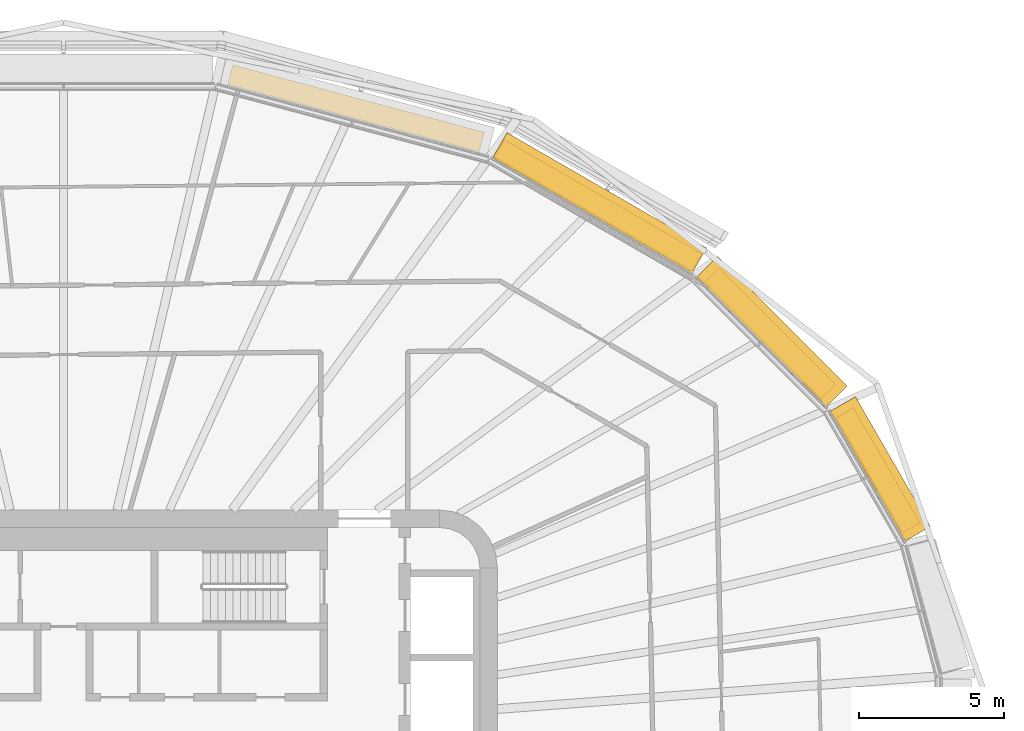
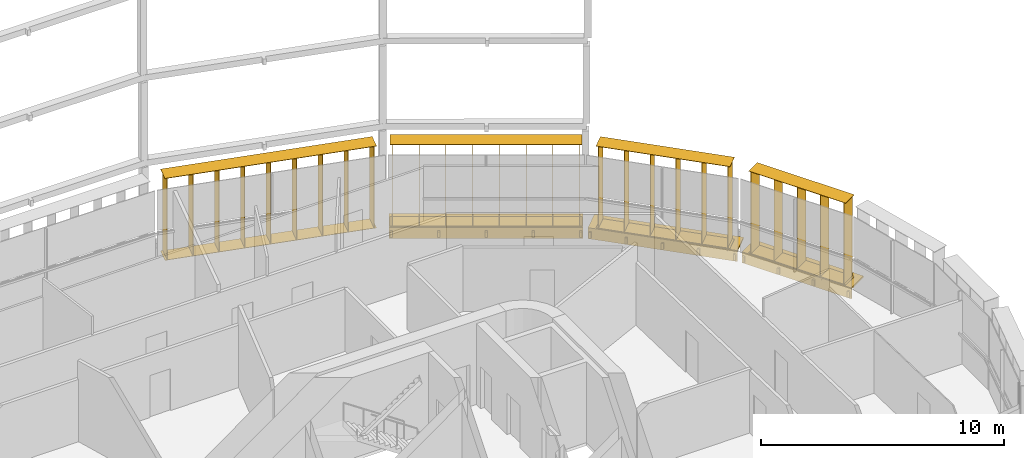
# One storey, part 22 of 22: 7 shading devices.
"""IFC4 building model written with IfcOpenShell, lengths in metres."""

from ifc_helpers import new_model, si_unit, direction, frame, origin, origin_2d, place, context, subcontext, project, spatial, rectangle, extrude, material, type_object, element, save


model = new_model("IFC4")

# Units and contexts
model_context = context("Model", 3, precision=1e-05, world=origin(), true_north=direction((0.0, 1.0)))
body_context = subcontext(model_context, "Body", "Model", "MODEL_VIEW")
ifc_project = project(units=[si_unit("LENGTHUNIT", "METRE"), si_unit("AREAUNIT", "SQUARE_METRE"), si_unit("VOLUMEUNIT", "CUBIC_METRE"), si_unit("PLANEANGLEUNIT", "RADIAN"), si_unit("MASSUNIT", "GRAM", prefix="KILO")], contexts=[model_context])

# Site, building, storey
site_placement = place(None, origin())
site = spatial("IfcSite", under=ifc_project, at=site_placement, CompositionType="ELEMENT")
building_placement = place(site_placement, origin())
building = spatial("IfcBuilding", under=site, at=building_placement, Name="Sahrelin Media Tower", CompositionType="ELEMENT")
storey_placement = place(building_placement, frame((0.0, 0.0, 50.39990234375)))
storey = spatial("IfcBuildingStorey", under=building, at=storey_placement, Name="L07", CompositionType="ELEMENT", Elevation=50.39990234375)

# Shading devices
ifc_material = material(Name="Champagne anodised aluminium 6063-T6", Category="aluminium")
shading_device_type_1 = type_object("IfcShadingDeviceType", Name="Fin cassette", PredefinedType="USERDEFINED", material=ifc_material)
placement_1 = place(storey_placement, frame((27.79638671875, 9.162841796875, 0.0), z_axis=(0.0, 0.0, 1.0), x_axis=(0.500011000363, -0.866019052629, 0.0)))
element("IfcShadingDevice", 1, at=placement_1, inside=storey, type_object=shading_device_type_1, Name="L07:FIN:L07-02", ObjectType="FIN", PredefinedType="USERDEFINED", context=body_context, shape_type="SweptSolid", body=[
    extrude(rectangle(XDim=4.60009765625, YDim=0.699951171875, at=origin_2d()), frame((0.0, 0.419921875, 0.0)), (0.0, 0.0, 1.0), 0.02001953125),
    extrude(rectangle(XDim=4.60009765625, YDim=0.699951171875, at=origin_2d()), frame((0.0, 0.419921875, 4.10009765625)), (0.0, 0.0, 1.0), 0.02001953125),
    extrude(rectangle(XDim=0.02001953125, YDim=0.699951171875, at=origin_2d()), frame((-2.199951171875, 0.419921875, 0.010009765625), z_axis=(0.0, 0.0, 1.0), x_axis=(1.0, 0.0, 0.0)), (0.0, 0.0, 1.0), 4.10009765625),
    extrude(rectangle(XDim=0.02001953125, YDim=0.699951171875, at=origin_2d()), frame((-1.10009765625, 0.419921875, 0.010009765625), z_axis=(0.0, 0.0, 1.0), x_axis=(1.0, 0.0, 0.0)), (0.0, 0.0, 1.0), 4.10009765625),
    extrude(rectangle(XDim=0.02001953125, YDim=0.699951171875, at=origin_2d()), frame((0.0, 0.419921875, 0.010009765625), z_axis=(0.0, 0.0, 1.0), x_axis=(1.0, 0.0, 0.0)), (0.0, 0.0, 1.0), 4.10009765625),
    extrude(rectangle(XDim=0.02001953125, YDim=0.699951171875, at=origin_2d()), frame((1.10009765625, 0.419921875, 0.010009765625), z_axis=(0.0, 0.0, 1.0), x_axis=(1.0, 0.0, 0.0)), (0.0, 0.0, 1.0), 4.10009765625),
    extrude(rectangle(XDim=0.02001953125, YDim=0.699951171875, at=origin_2d()), frame((2.199951171875, 0.419921875, 0.010009765625), z_axis=(0.0, 0.0, 1.0), x_axis=(1.0, 0.0, 0.0)), (0.0, 0.0, 1.0), 4.10009765625),
])
placement_2 = place(storey_placement, frame((24.13427734375, 13.810791015625, 0.0), z_axis=(0.0, 0.0, 1.0), x_axis=(0.707106781187, -0.707106781187, 0.0)))
element("IfcShadingDevice", 2, at=placement_2, inside=storey, type_object=shading_device_type_1, Name="L07:FIN:L07-03", ObjectType="FIN", PredefinedType="USERDEFINED", context=body_context, shape_type="SweptSolid", body=[
    extrude(rectangle(XDim=5.699951171875, YDim=0.699951171875, at=origin_2d()), frame((0.0, 0.419921875, 0.0)), (0.0, 0.0, 1.0), 0.02001953125),
    extrude(rectangle(XDim=5.699951171875, YDim=0.699951171875, at=origin_2d()), frame((0.0, 0.419921875, 4.10009765625)), (0.0, 0.0, 1.0), 0.02001953125),
    extrude(rectangle(XDim=0.02001953125, YDim=0.699951171875, at=origin_2d()), frame((-2.75, 0.419921875, 0.010009765625), z_axis=(0.0, 0.0, 1.0), x_axis=(1.0, 0.0, 0.0)), (0.0, 0.0, 1.0), 4.10009765625),
    extrude(rectangle(XDim=0.02001953125, YDim=0.699951171875, at=origin_2d()), frame((-1.64990234375, 0.419921875, 0.010009765625), z_axis=(0.0, 0.0, 1.0), x_axis=(1.0, 0.0, 0.0)), (0.0, 0.0, 1.0), 4.10009765625),
    extrude(rectangle(XDim=0.02001953125, YDim=0.699951171875, at=origin_2d()), frame((-0.550048828125, 0.419921875, 0.010009765625), z_axis=(0.0, 0.0, 1.0), x_axis=(1.0, 0.0, 0.0)), (0.0, 0.0, 1.0), 4.10009765625),
    extrude(rectangle(XDim=0.02001953125, YDim=0.699951171875, at=origin_2d()), frame((0.550048828125, 0.419921875, 0.010009765625), z_axis=(0.0, 0.0, 1.0), x_axis=(1.0, 0.0, 0.0)), (0.0, 0.0, 1.0), 4.10009765625),
    extrude(rectangle(XDim=0.02001953125, YDim=0.699951171875, at=origin_2d()), frame((1.64990234375, 0.419921875, 0.010009765625), z_axis=(0.0, 0.0, 1.0), x_axis=(1.0, 0.0, 0.0)), (0.0, 0.0, 1.0), 4.10009765625),
    extrude(rectangle(XDim=0.02001953125, YDim=0.699951171875, at=origin_2d()), frame((2.75, 0.419921875, 0.010009765625), z_axis=(0.0, 0.0, 1.0), x_axis=(1.0, 0.0, 0.0)), (0.0, 0.0, 1.0), 4.10009765625),
])
placement_3 = place(storey_placement, frame((18.27880859375, 18.170166015625, 0.0), z_axis=(0.0, 0.0, 1.0), x_axis=(0.866019052629, -0.500011000363, 0.0)))
element("IfcShadingDevice", 3, at=placement_3, inside=storey, type_object=shading_device_type_1, Name="L07:FIN:L07-04", ObjectType="FIN", PredefinedType="USERDEFINED", context=body_context, shape_type="SweptSolid", body=[
    extrude(rectangle(XDim=7.89990234375, YDim=0.699951171875, at=origin_2d()), frame((0.0, 0.419921875, 0.0)), (0.0, 0.0, 1.0), 0.02001953125),
    extrude(rectangle(XDim=7.89990234375, YDim=0.699951171875, at=origin_2d()), frame((0.0, 0.419921875, 4.10009765625)), (0.0, 0.0, 1.0), 0.02001953125),
    extrude(rectangle(XDim=0.02001953125, YDim=0.699951171875, at=origin_2d()), frame((-3.85009765625, 0.419921875, 0.010009765625), z_axis=(0.0, 0.0, 1.0), x_axis=(1.0, 0.0, 0.0)), (0.0, 0.0, 1.0), 4.10009765625),
    extrude(rectangle(XDim=0.02001953125, YDim=0.699951171875, at=origin_2d()), frame((-2.75, 0.419921875, 0.010009765625), z_axis=(0.0, 0.0, 1.0), x_axis=(1.0, 0.0, 0.0)), (0.0, 0.0, 1.0), 4.10009765625),
    extrude(rectangle(XDim=0.02001953125, YDim=0.699951171875, at=origin_2d()), frame((-1.64990234375, 0.419921875, 0.010009765625), z_axis=(0.0, 0.0, 1.0), x_axis=(1.0, 0.0, 0.0)), (0.0, 0.0, 1.0), 4.10009765625),
    extrude(rectangle(XDim=0.02001953125, YDim=0.699951171875, at=origin_2d()), frame((-0.550048828125, 0.419921875, 0.010009765625), z_axis=(0.0, 0.0, 1.0), x_axis=(1.0, 0.0, 0.0)), (0.0, 0.0, 1.0), 4.10009765625),
    extrude(rectangle(XDim=0.02001953125, YDim=0.699951171875, at=origin_2d()), frame((0.550048828125, 0.419921875, 0.010009765625), z_axis=(0.0, 0.0, 1.0), x_axis=(1.0, 0.0, 0.0)), (0.0, 0.0, 1.0), 4.10009765625),
    extrude(rectangle(XDim=0.02001953125, YDim=0.699951171875, at=origin_2d()), frame((1.64990234375, 0.419921875, 0.010009765625), z_axis=(0.0, 0.0, 1.0), x_axis=(1.0, 0.0, 0.0)), (0.0, 0.0, 1.0), 4.10009765625),
    extrude(rectangle(XDim=0.02001953125, YDim=0.699951171875, at=origin_2d()), frame((2.75, 0.419921875, 0.010009765625), z_axis=(0.0, 0.0, 1.0), x_axis=(1.0, 0.0, 0.0)), (0.0, 0.0, 1.0), 4.10009765625),
    extrude(rectangle(XDim=0.02001953125, YDim=0.699951171875, at=origin_2d()), frame((3.85009765625, 0.419921875, 0.010009765625), z_axis=(0.0, 0.0, 1.0), x_axis=(1.0, 0.0, 0.0)), (0.0, 0.0, 1.0), 4.10009765625),
])
shading_device_4_placement = place(storey_placement, frame((10.003173828125, 21.48291015625, 0.0), z_axis=(0.0, 0.0, 1.0), x_axis=(0.965928857556, -0.258807731996, 0.0)))
element("IfcShadingDevice", 4, at=shading_device_4_placement, inside=storey, type_object=shading_device_type_1, Name="L07:FIN:L07-05", ObjectType="FIN", PredefinedType="USERDEFINED", context=body_context, shape_type="SweptSolid", body=[
    extrude(rectangle(XDim=9.0, YDim=0.699951171875, at=origin_2d()), frame((0.0, 0.419921875, 0.0)), (0.0, 0.0, 1.0), 0.02001953125),
    extrude(rectangle(XDim=9.0, YDim=0.699951171875, at=origin_2d()), frame((0.0, 0.419921875, 4.10009765625)), (0.0, 0.0, 1.0), 0.02001953125),
    extrude(rectangle(XDim=0.02001953125, YDim=0.699951171875, at=origin_2d()), frame((-4.39990234375, 0.419921875, 0.010009765625), z_axis=(0.0, 0.0, 1.0), x_axis=(1.0, 0.0, 0.0)), (0.0, 0.0, 1.0), 4.10009765625),
    extrude(rectangle(XDim=0.02001953125, YDim=0.699951171875, at=origin_2d()), frame((-3.300048828125, 0.419921875, 0.010009765625), z_axis=(0.0, 0.0, 1.0), x_axis=(1.0, 0.0, 0.0)), (0.0, 0.0, 1.0), 4.10009765625),
    extrude(rectangle(XDim=0.02001953125, YDim=0.699951171875, at=origin_2d()), frame((-2.199951171875, 0.419921875, 0.010009765625), z_axis=(0.0, 0.0, 1.0), x_axis=(1.0, 0.0, 0.0)), (0.0, 0.0, 1.0), 4.10009765625),
    extrude(rectangle(XDim=0.02001953125, YDim=0.699951171875, at=origin_2d()), frame((-1.10009765625, 0.419921875, 0.010009765625), z_axis=(0.0, 0.0, 1.0), x_axis=(1.0, 0.0, 0.0)), (0.0, 0.0, 1.0), 4.10009765625),
    extrude(rectangle(XDim=0.02001953125, YDim=0.699951171875, at=origin_2d()), frame((0.0, 0.419921875, 0.010009765625), z_axis=(0.0, 0.0, 1.0), x_axis=(1.0, 0.0, 0.0)), (0.0, 0.0, 1.0), 4.10009765625),
    extrude(rectangle(XDim=0.02001953125, YDim=0.699951171875, at=origin_2d()), frame((1.10009765625, 0.419921875, 0.010009765625), z_axis=(0.0, 0.0, 1.0), x_axis=(1.0, 0.0, 0.0)), (0.0, 0.0, 1.0), 4.10009765625),
    extrude(rectangle(XDim=0.02001953125, YDim=0.699951171875, at=origin_2d()), frame((2.199951171875, 0.419921875, 0.010009765625), z_axis=(0.0, 0.0, 1.0), x_axis=(1.0, 0.0, 0.0)), (0.0, 0.0, 1.0), 4.10009765625),
    extrude(rectangle(XDim=0.02001953125, YDim=0.699951171875, at=origin_2d()), frame((3.300048828125, 0.419921875, 0.010009765625), z_axis=(0.0, 0.0, 1.0), x_axis=(1.0, 0.0, 0.0)), (0.0, 0.0, 1.0), 4.10009765625),
    extrude(rectangle(XDim=0.02001953125, YDim=0.699951171875, at=origin_2d()), frame((4.39990234375, 0.419921875, 0.010009765625), z_axis=(0.0, 0.0, 1.0), x_axis=(1.0, 0.0, 0.0)), (0.0, 0.0, 1.0), 4.10009765625),
])
shading_device_type_2 = type_object("IfcShadingDeviceType", Name="Sunshade band", PredefinedType="USERDEFINED", material=ifc_material)
element("IfcShadingDevice", 5, at=placement_1, inside=storey, type_object=shading_device_type_2, Name="L07:SUN:L07-02", ObjectType="SUNSHADE", PredefinedType="USERDEFINED", context=body_context, shape_type="SweptSolid", body=[
    extrude(rectangle(XDim=5.18603515625, YDim=0.050048828125, at=origin_2d()), frame((0.0, 0.044921875, -0.55126953125)), (0.0, 0.0, 1.0), 0.471435546875),
    extrude(rectangle(XDim=5.18603515625, YDim=1.0, at=origin_2d()), frame((0.0, 0.52001953125, -0.080078125)), (0.0, 0.0, 1.0), 0.080078125),
    extrude(rectangle(XDim=0.10009765625, YDim=0.074951171875, at=origin_2d()), frame((-2.492919921875, -0.017578125, -0.47021484375)), (0.0, 0.0, 1.0), 0.300048828125),
    extrude(rectangle(XDim=0.10009765625, YDim=0.074951171875, at=origin_2d()), frame((-0.8310546875, -0.017578125, -0.47021484375)), (0.0, 0.0, 1.0), 0.300048828125),
    extrude(rectangle(XDim=0.10009765625, YDim=0.074951171875, at=origin_2d()), frame((0.8310546875, -0.017578125, -0.47021484375)), (0.0, 0.0, 1.0), 0.300048828125),
    extrude(rectangle(XDim=0.10009765625, YDim=0.074951171875, at=origin_2d()), frame((2.492919921875, -0.017578125, -0.47021484375)), (0.0, 0.0, 1.0), 0.300048828125),
])
element("IfcShadingDevice", 6, at=placement_2, inside=storey, type_object=shading_device_type_2, Name="L07:SUN:L07-03", ObjectType="SUNSHADE", PredefinedType="USERDEFINED", context=body_context, shape_type="SweptSolid", body=[
    extrude(rectangle(XDim=6.35009765625, YDim=0.050048828125, at=origin_2d()), frame((0.0, 0.044921875, -0.55126953125)), (0.0, 0.0, 1.0), 0.471435546875),
    extrude(rectangle(XDim=6.35009765625, YDim=1.0, at=origin_2d()), frame((0.0, 0.52001953125, -0.080078125)), (0.0, 0.0, 1.0), 0.080078125),
    extrude(rectangle(XDim=0.10009765625, YDim=0.074951171875, at=origin_2d()), frame((-3.0751953125, -0.017578125, -0.47021484375)), (0.0, 0.0, 1.0), 0.300048828125),
    extrude(rectangle(XDim=0.10009765625, YDim=0.074951171875, at=origin_2d()), frame((-1.53759765625, -0.017578125, -0.47021484375)), (0.0, 0.0, 1.0), 0.300048828125),
    extrude(rectangle(XDim=0.10009765625, YDim=0.074951171875, at=origin_2d()), frame((0.0, -0.017578125, -0.47021484375)), (0.0, 0.0, 1.0), 0.300048828125),
    extrude(rectangle(XDim=0.10009765625, YDim=0.074951171875, at=origin_2d()), frame((1.53759765625, -0.017578125, -0.47021484375)), (0.0, 0.0, 1.0), 0.300048828125),
    extrude(rectangle(XDim=0.10009765625, YDim=0.074951171875, at=origin_2d()), frame((3.0751953125, -0.017578125, -0.47021484375)), (0.0, 0.0, 1.0), 0.300048828125),
])
element("IfcShadingDevice", 7, at=placement_3, inside=storey, type_object=shading_device_type_2, Name="L07:SUN:L07-04", ObjectType="SUNSHADE", PredefinedType="USERDEFINED", context=body_context, shape_type="SweptSolid", body=[
    extrude(rectangle(XDim=7.97412109375, YDim=0.050048828125, at=origin_2d()), frame((0.0, 0.044921875, -0.55126953125)), (0.0, 0.0, 1.0), 0.471435546875),
    extrude(rectangle(XDim=7.97412109375, YDim=1.0, at=origin_2d()), frame((0.0, 0.52001953125, -0.080078125)), (0.0, 0.0, 1.0), 0.080078125),
    extrude(rectangle(XDim=0.10009765625, YDim=0.074951171875, at=origin_2d()), frame((-3.886962890625, -0.017578125, -0.47021484375)), (0.0, 0.0, 1.0), 0.300048828125),
    extrude(rectangle(XDim=0.10009765625, YDim=0.074951171875, at=origin_2d()), frame((-1.943603515625, -0.017578125, -0.47021484375)), (0.0, 0.0, 1.0), 0.300048828125),
    extrude(rectangle(XDim=0.10009765625, YDim=0.074951171875, at=origin_2d()), frame((0.0, -0.017578125, -0.47021484375)), (0.0, 0.0, 1.0), 0.300048828125),
    extrude(rectangle(XDim=0.10009765625, YDim=0.074951171875, at=origin_2d()), frame((1.943603515625, -0.017578125, -0.47021484375)), (0.0, 0.0, 1.0), 0.300048828125),
    extrude(rectangle(XDim=0.10009765625, YDim=0.074951171875, at=origin_2d()), frame((3.886962890625, -0.017578125, -0.47021484375)), (0.0, 0.0, 1.0), 0.300048828125),
])

save(model, "model.ifc")
